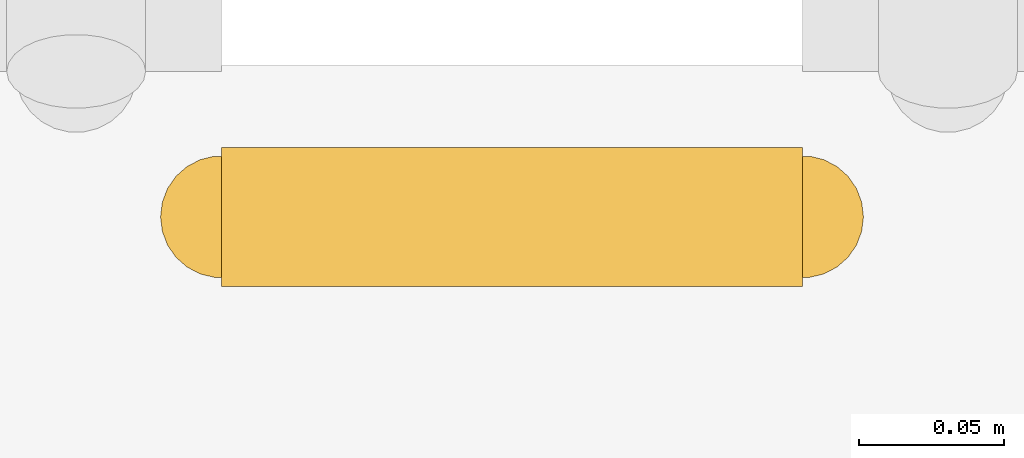
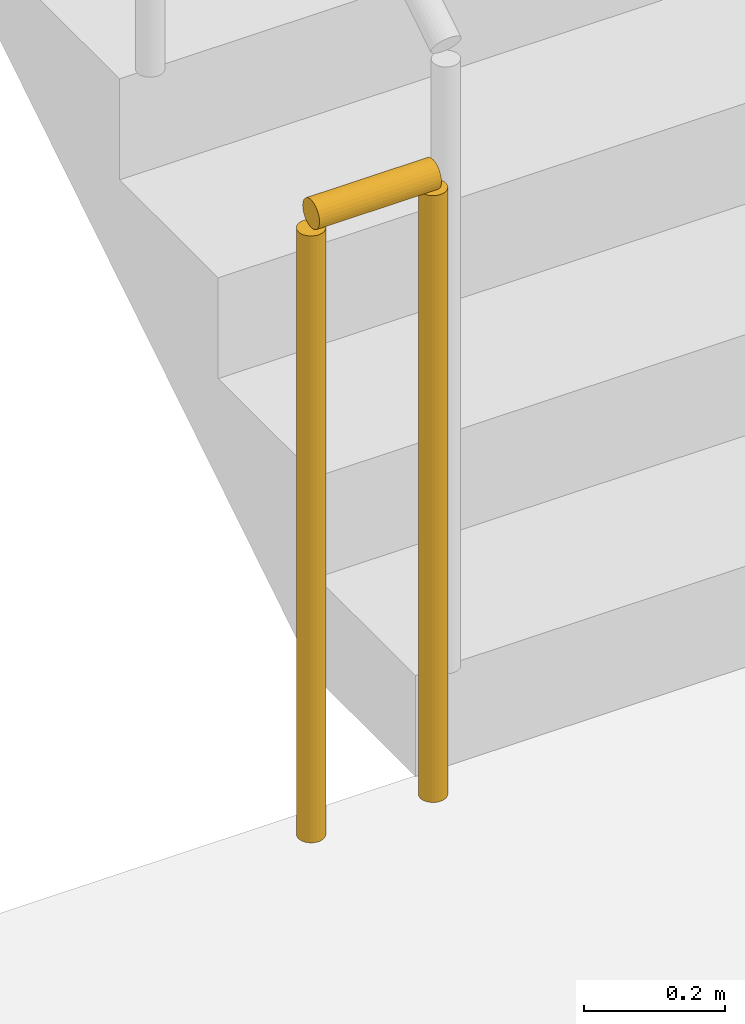
# One storey, part 11 of 21: 1 railing.
"""IFC4 building model written with IfcOpenShell, lengths in metres."""

from ifc_helpers import new_model, si_unit, direction, frame, origin, origin_2d, place, context, subcontext, project, spatial, circle, extrude, material, type_object, element, save


model = new_model("IFC4")

# Units and contexts
model_context = context("Model", 3, precision=1e-05, world=origin(), true_north=direction((0.0, 1.0)))
body_context = subcontext(model_context, "Body", "Model", "MODEL_VIEW")
ifc_project = project(units=[si_unit("LENGTHUNIT", "METRE"), si_unit("AREAUNIT", "SQUARE_METRE"), si_unit("VOLUMEUNIT", "CUBIC_METRE"), si_unit("PLANEANGLEUNIT", "RADIAN"), si_unit("MASSUNIT", "GRAM", prefix="KILO")], contexts=[model_context])

# Site, building, storey
site_placement = place(None, origin())
site = spatial("IfcSite", under=ifc_project, at=site_placement, CompositionType="ELEMENT")
building_placement = place(site_placement, origin())
building = spatial("IfcBuilding", under=site, at=building_placement, Name="Kiln Ring Residences", CompositionType="ELEMENT")
storey_placement = place(building_placement, frame((0.0, 0.0, 114.800048828125)))
storey = spatial("IfcBuildingStorey", under=building, at=storey_placement, Name="L29", CompositionType="ELEMENT", Elevation=114.800048828125)

# Railing
ifc_material = material(Name="Stainless steel", Category="steel")
railing_type = type_object("IfcRailingType", Name="CORE-STAIR-GUARD", PredefinedType="GUARDRAIL", material=ifc_material)
railing_placement = place(storey_placement, frame((-22.0, -8.449951171875, 0.0)))
element("IfcRailing", 1, at=railing_placement, inside=storey, type_object=railing_type, Name="L29 W-STS stair guard 4", PredefinedType="GUARDRAIL", context=body_context, shape_type="SweptSolid", body=[
    extrude(circle(Radius=0.02392578125, at=origin_2d()), frame((0.0, 0.0, 1.076171875), z_axis=(-1.0, 0.0, 0.0), x_axis=(0.0, -1.0, 0.0)), (0.0, 0.0, 1.0), 0.199951171875),
    extrude(circle(Radius=0.02099609375, at=origin_2d()), origin(), (0.0, 0.0, 1.0), 1.052001953125),
    extrude(circle(Radius=0.02099609375, at=origin_2d()), frame((-0.199951171875, 0.0, 0.0)), (0.0, 0.0, 1.0), 1.052001953125),
])

save(model, "model.ifc")
